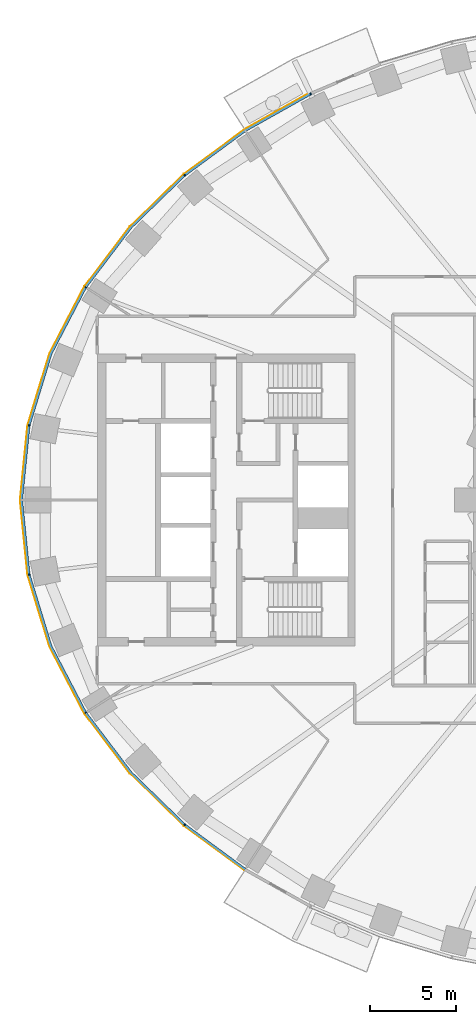
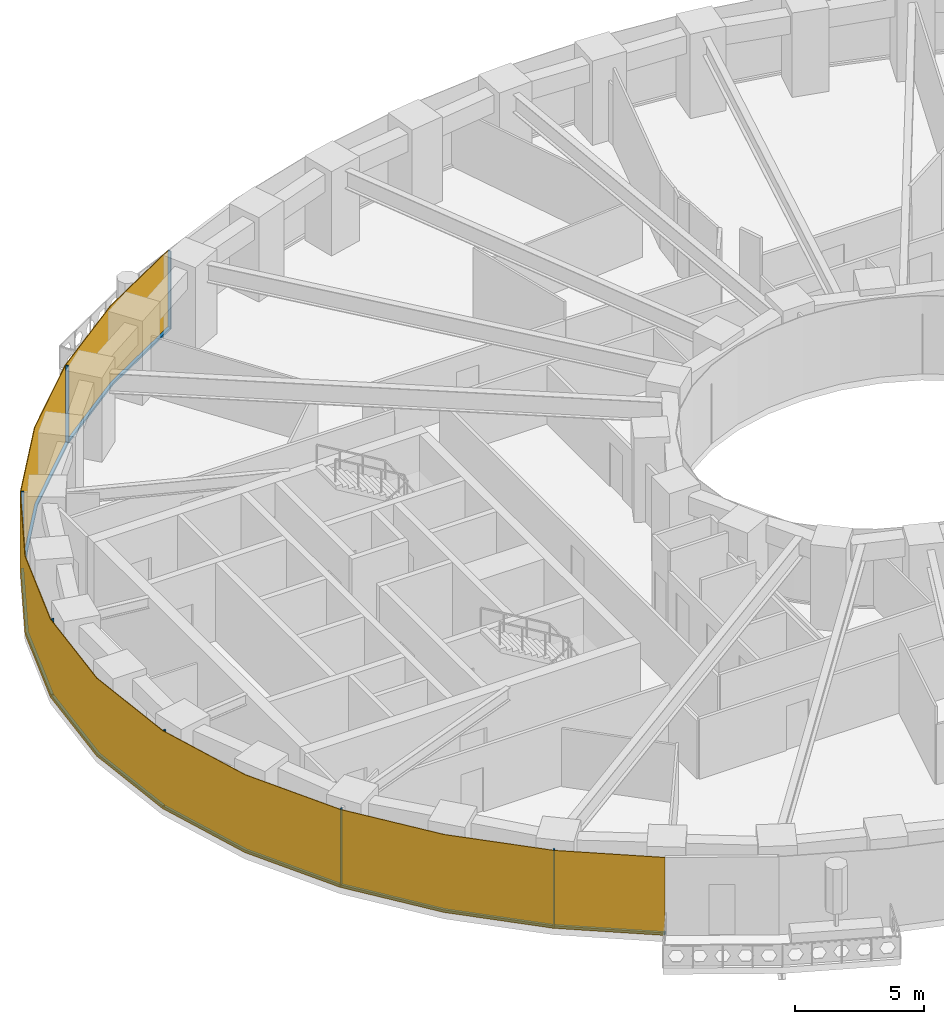
# One storey, part 8 of 15: 14 members, 1 curtain wall.
"""IFC4 building model written with IfcOpenShell, lengths in metres."""

import ifcopenshell
import ifcopenshell.guid

model = None  # the IFC model being written
_history = None  # IfcOwnerHistory: only IFC2X3 demands one
_inside = {}  # id of a spatial element -> (the spatial element, [elements in it])
_under = {}  # id of a project, library or spatial element -> (it, [spatial elements below it])
_declared = {}  # id of a project -> (the project, [libraries it declares])
_typed = {}  # id of a type object -> (the type object, [elements of that type])
_made_of = {}  # id of a material, layer set ... -> (it, [elements and type objects made of it])


def new_model(schema):
    """Start an empty IFC model of exactly this schema.

    Asked for "IFC4X3", IfcOpenShell would pick the latest addendum, in which some entities
    have other attributes; the version numbers below select the first issue.
    IFC2X3 requires an IfcOwnerHistory on every rooted entity: one is made here for all.
    """
    global model, _history
    if schema == "IFC4X3":
        model = ifcopenshell.file(schema_version=(4, 3, 0, 0))
    else:
        model = ifcopenshell.file(schema=schema)
    _inside.clear()
    _under.clear()
    _declared.clear()
    _typed.clear()
    _made_of.clear()
    _history = None
    if model.schema == "IFC2X3":
        org = make("IfcOrganization", Name="unknown")
        user = make(
            "IfcPersonAndOrganization",
            ThePerson=make("IfcPerson", FamilyName="unknown"),
            TheOrganization=org,
        )
        app = make(
            "IfcApplication",
            ApplicationDeveloper=org,
            Version="unknown",
            ApplicationFullName="unknown",
            ApplicationIdentifier="unknown",
        )
        _history = make(
            "IfcOwnerHistory",
            OwningUser=user,
            OwningApplication=app,
            ChangeAction="ADDED",
            CreationDate=0,
        )
    return model


def make(cls, **values):
    """One entity of the class cls with the attributes given. An attribute that is None is left unset."""
    return model.create_entity(
        cls, **{name: value for name, value in values.items() if value is not None}
    )


def rooted(cls, **values):
    """An entity with a GlobalId (a new one), such as an element, a storey or a relation."""
    return make(cls, GlobalId=ifcopenshell.guid.new(), OwnerHistory=_history, **values)


def si_unit(unit_type, name, prefix=None):
    """IfcSIUnit, for example si_unit("LENGTHUNIT", "METRE", prefix="MILLI")."""
    return make("IfcSIUnit", UnitType=unit_type, Prefix=prefix, Name=name)


def assignment(units):
    """IfcUnitAssignment: the units of a project."""
    return None if units is None else make("IfcUnitAssignment", Units=units)


def point(xyz):
    """IfcCartesianPoint."""
    return None if xyz is None else make("IfcCartesianPoint", Coordinates=xyz)


def direction(xyz):
    """IfcDirection."""
    return None if xyz is None else make("IfcDirection", DirectionRatios=xyz)


def frame(location, z_axis=None, x_axis=None):
    """IfcAxis2Placement3D, a coordinate frame: its origin and axes. An axis left out is left unset."""
    return make(
        "IfcAxis2Placement3D",
        Location=point(location),
        Axis=direction(z_axis),
        RefDirection=direction(x_axis),
    )


def frame_2d(location, x_axis=None):
    """IfcAxis2Placement2D, a coordinate frame in the plane: its origin and x axis."""
    return make(
        "IfcAxis2Placement2D", Location=point(location), RefDirection=direction(x_axis)
    )


def origin():
    """The frame at (0, 0, 0) with its axes left unset."""
    return frame((0.0, 0.0, 0.0))


def origin_2d():
    """The frame at (0, 0) in the plane with its x axis left unset."""
    return frame_2d((0.0, 0.0))


def place(relative_to, where):
    """IfcLocalPlacement: puts the frame where relative to a parent placement (None: the world)."""
    return make(
        "IfcLocalPlacement", PlacementRelTo=relative_to, RelativePlacement=where
    )


def context(
    kind, dimensions, precision=None, world=None, true_north=None, identifier=None
):
    """IfcGeometricRepresentationContext, for example the 3D "Model" context."""
    return make(
        "IfcGeometricRepresentationContext",
        ContextIdentifier=identifier,
        ContextType=kind,
        CoordinateSpaceDimension=dimensions,
        Precision=precision,
        WorldCoordinateSystem=world,
        TrueNorth=true_north,
    )


def subcontext(parent, identifier, kind, view, scale=None):
    """IfcGeometricRepresentationSubContext, for example "Body" below "Model"."""
    return make(
        "IfcGeometricRepresentationSubContext",
        ContextIdentifier=identifier,
        ContextType=kind,
        ParentContext=parent,
        TargetScale=scale,
        TargetView=view,
    )


def project(units=None, contexts=None):
    """IfcProject with its units and contexts."""
    return rooted(
        "IfcProject",
        Name="project",
        RepresentationContexts=contexts,
        UnitsInContext=assignment(units),
    )


def spatial(cls, under=None, at=None, **own):
    """A site, building, storey or space (cls), placed at a placement, below another one or the project."""
    s = rooted(cls, ObjectPlacement=at, **own)
    if under is not None:
        _under.setdefault(under.id(), (under, []))[1].append(s)
    return s


def polyline(points):
    """IfcPolyline through the points."""
    return make("IfcPolyline", Points=[point(p) for p in points])


def profile(cls, at=None, kind="AREA", **sizes):
    """A parametric profile (cls). Its sizes go by their IFC names, for example OverallWidth=200.0."""
    return make(cls, ProfileType=kind, Position=at, **sizes)


def rectangle(**sizes):
    """IfcRectangleProfileDef."""
    return profile("IfcRectangleProfileDef", **sizes)


def outline(outer, holes=None, kind="AREA"):
    """IfcArbitraryClosedProfileDef: a profile drawn as a closed curve; with holes, ...WithVoids."""
    if holes is None:
        return make("IfcArbitraryClosedProfileDef", ProfileType=kind, OuterCurve=outer)
    return make(
        "IfcArbitraryProfileDefWithVoids",
        ProfileType=kind,
        OuterCurve=outer,
        InnerCurves=holes,
    )


def extrude(swept, where, along, depth):
    """IfcExtrudedAreaSolid: the profile swept, set in the frame where, extruded along a direction by depth."""
    return make(
        "IfcExtrudedAreaSolid",
        SweptArea=swept,
        Position=where,
        ExtrudedDirection=direction(along),
        Depth=depth,
    )


def shape(context_of_items, identifier, shape_type, items):
    """IfcShapeRepresentation: the items that make up one representation, for example the "Body"."""
    return make(
        "IfcShapeRepresentation",
        ContextOfItems=context_of_items,
        RepresentationIdentifier=identifier,
        RepresentationType=shape_type,
        Items=items,
    )


def material(Name=None, Category=None):
    """IfcMaterial."""
    return make("IfcMaterial", Name=Name, Category=Category)


def layer(
    of_material, thickness, ventilated=None, Name=None, Category=None, Priority=None
):
    """IfcMaterialLayer: one layer of a wall or slab, of a material (None: an air gap)."""
    return make(
        "IfcMaterialLayer",
        Material=of_material,
        LayerThickness=thickness,
        IsVentilated=ventilated,
        Name=Name,
        Category=Category,
        Priority=Priority,
    )


def layer_set(layers, Name=None):
    """IfcMaterialLayerSet."""
    return make("IfcMaterialLayerSet", MaterialLayers=layers, LayerSetName=Name)


def material_profile(
    of_material, cross_section, Name=None, Category=None, Priority=None
):
    """IfcMaterialProfile: a cross section and its material."""
    return make(
        "IfcMaterialProfile",
        Name=Name,
        Material=of_material,
        Profile=cross_section,
        Priority=Priority,
        Category=Category,
    )


def profile_set(profiles, Name=None, composite=None):
    """IfcMaterialProfileSet."""
    return make(
        "IfcMaterialProfileSet",
        Name=Name,
        MaterialProfiles=profiles,
        CompositeProfile=composite,
    )


def made_of(thing, what):
    """Note that an element or type object is made of a material, layer set ...; save() writes the relation."""
    if what is not None:
        _made_of.setdefault(what.id(), (what, []))[1].append(thing)
    return thing


def type_object(cls, material=None, **own):
    """A type object (cls), such as IfcWallType, which elements share."""
    return made_of(rooted(cls, **own), material)


def element(
    cls,
    number,
    at=None,
    inside=None,
    cuts=None,
    type_object=None,
    material=None,
    context=None,
    identifier="Body",
    shape_type=None,
    held_by="IfcProductDefinitionShape",
    body=None,
    shapes=None,
    **own,
):
    """One element of the class cls, such as IfcWall. Its Tag is "e" and its number.

    at: its placement. inside: the storey or other place that contains it. cuts: it is an
    opening in that element (IfcRelVoidsElement). A single representation is given by context,
    identifier, shape_type and body (its items); several are given by shapes. held_by: the class
    of the entity that holds the representations. save() writes the other relations.
    """
    e = rooted(cls, Tag="e%d" % number, ObjectPlacement=at, **own)
    if body is not None:
        shapes = [shape(context, identifier, shape_type, body)]
    if shapes is not None:
        e.Representation = make(held_by, Representations=shapes)
    if inside is not None:
        _inside.setdefault(inside.id(), (inside, []))[1].append(e)
    if cuts is not None:
        rooted(
            "IfcRelVoidsElement", RelatingBuildingElement=cuts, RelatedOpeningElement=e
        )
    if type_object is not None:
        _typed.setdefault(type_object.id(), (type_object, []))[1].append(e)
    return made_of(e, material)


def aggregate(whole, parts):
    """IfcRelAggregates: a whole, such as a stair, and the parts it consists of."""
    return rooted("IfcRelAggregates", RelatingObject=whole, RelatedObjects=parts)


def save(model, path):
    """Write the relations noted so far, then the file.

    IfcRelAggregates (storeys below a building ...), IfcRelContainedInSpatialStructure (elements
    in a storey), IfcRelDefinesByType, IfcRelAssociatesMaterial and IfcRelDeclares: one each for
    every whole, place, type object, material and project.
    """
    for whole, parts in _under.values():
        aggregate(whole, parts)
    for where, things in _inside.values():
        rooted(
            "IfcRelContainedInSpatialStructure",
            RelatedElements=things,
            RelatingStructure=where,
        )
    for kind, things in _typed.values():
        rooted("IfcRelDefinesByType", RelatedObjects=things, RelatingType=kind)
    for what, things in _made_of.values():
        rooted("IfcRelAssociatesMaterial", RelatedObjects=things, RelatingMaterial=what)
    for by, libraries in _declared.values():
        rooted("IfcRelDeclares", RelatingContext=by, RelatedDefinitions=libraries)
    model.write(path)


model = new_model("IFC4")

# Units and contexts
model_context = context("Model", 3, precision=1e-05, world=origin(), true_north=direction((0.0, 1.0)))
body_context = subcontext(model_context, "Body", "Model", "MODEL_VIEW")
ifc_project = project(units=[si_unit("LENGTHUNIT", "METRE"), si_unit("AREAUNIT", "SQUARE_METRE"), si_unit("VOLUMEUNIT", "CUBIC_METRE"), si_unit("PLANEANGLEUNIT", "RADIAN"), si_unit("MASSUNIT", "GRAM", prefix="KILO")], contexts=[model_context])

# Member
ifc_material_1 = material(Name="Aluminium 6063-T6 black anodised", Category="aluminium")
ifc_material_profile = material_profile(ifc_material_1, rectangle(XDim=0.1201171875, YDim=0.06005859375, at=origin_2d()), Name="120x60")
ifc_profile_set = profile_set([ifc_material_profile], Name="Aluminium 6063-T6 black anodised")
member_type_1 = type_object("IfcMemberType", Name="ENV-MULLION-A-120", PredefinedType="MULLION", material=ifc_profile_set)
site_placement = place(None, origin())
building_placement = place(site_placement, origin())
storey_placement = place(building_placement, frame((0.0, 0.0, 50.5)))
member_1_placement = place(storey_placement, frame((-19.06787109375, 23.6474609375, 0.0), z_axis=(0.0, 0.0, 1.0), x_axis=(0.439237769837, -0.898370848563, 0.0)))
member_1 = element("IfcMember", 1, at=member_1_placement, type_object=member_type_1, Name="Mullion A radial 17", PredefinedType="MULLION", context=body_context, shape_type="SweptSolid", body=[
    extrude(rectangle(XDim=0.1201171875, YDim=0.06005859375, at=origin_2d()), origin(), (0.0, 0.0, 1.0), 3.699951171875),
])

member_2_placement = place(storey_placement, frame((-26.403564453125, 18.9130859375, 0.0), z_axis=(0.0, 0.0, 1.0), x_axis=(0.646451313783, -0.762955240435, 0.0)))
member_2 = element("IfcMember", 2, at=member_2_placement, type_object=member_type_1, Name="Mullion A radial 19", PredefinedType="MULLION", context=body_context, shape_type="SweptSolid", body=[
    extrude(rectangle(XDim=0.1201171875, YDim=0.06005859375, at=origin_2d()), origin(), (0.0, 0.0, 1.0), 3.699951171875),
])

member_3_placement = place(storey_placement, frame((-32.177490234375, 12.385498046875, 0.0), z_axis=(0.0, 0.0, 1.0), x_axis=(0.844829880882, -0.53503501976, 0.0)))
member_3 = element("IfcMember", 3, at=member_3_placement, type_object=member_type_1, Name="Mullion A radial 21", PredefinedType="MULLION", context=body_context, shape_type="SweptSolid", body=[
    extrude(rectangle(XDim=0.1201171875, YDim=0.06005859375, at=origin_2d()), origin(), (0.0, 0.0, 1.0), 3.699951171875),
])

member_4_placement = place(storey_placement, frame((-35.470947265625, 4.340576171875, 0.0), z_axis=(0.0, 0.0, 1.0), x_axis=(0.980379083141, -0.19712141776, 0.0)))
member_4 = element("IfcMember", 4, at=member_4_placement, type_object=member_type_1, Name="Mullion A radial 23", PredefinedType="MULLION", context=body_context, shape_type="SweptSolid", body=[
    extrude(rectangle(XDim=0.1201171875, YDim=0.06005859375, at=origin_2d()), origin(), (0.0, 0.0, 1.0), 3.699951171875),
])

member_5_placement = place(storey_placement, frame((-35.470947265625, -4.340576171875, 0.0), z_axis=(0.0, 0.0, 1.0), x_axis=(0.980379083141, 0.19712141776, 0.0)))
member_5 = element("IfcMember", 5, at=member_5_placement, type_object=member_type_1, Name="Mullion A radial 25", PredefinedType="MULLION", context=body_context, shape_type="SweptSolid", body=[
    extrude(rectangle(XDim=0.1201171875, YDim=0.06005859375, at=origin_2d()), origin(), (0.0, 0.0, 1.0), 3.699951171875),
])

member_6_placement = place(storey_placement, frame((-32.177490234375, -12.385498046875, 0.0), z_axis=(0.0, 0.0, 1.0), x_axis=(0.844829880882, 0.53503501976, 0.0)))
member_6 = element("IfcMember", 6, at=member_6_placement, type_object=member_type_1, Name="Mullion A radial 27", PredefinedType="MULLION", context=body_context, shape_type="SweptSolid", body=[
    extrude(rectangle(XDim=0.1201171875, YDim=0.06005859375, at=origin_2d()), origin(), (0.0, 0.0, 1.0), 3.699951171875),
])

member_7_placement = place(storey_placement, frame((-26.403564453125, -18.9130859375, 0.0), z_axis=(0.0, 0.0, 1.0), x_axis=(0.646451313783, 0.762955240435, 0.0)))
member_7 = element("IfcMember", 7, at=member_7_placement, type_object=member_type_1, Name="Mullion A radial 29", PredefinedType="MULLION", context=body_context, shape_type="SweptSolid", body=[
    extrude(rectangle(XDim=0.1201171875, YDim=0.06005859375, at=origin_2d()), origin(), (0.0, 0.0, 1.0), 3.699951171875),
])

ifc_material_2 = material(Name="Aluminium 6063-T6 black anodised", Category="aluminium")
member_type_2 = type_object("IfcMemberType", Name="ENV-TRANSOM-A", PredefinedType="USERDEFINED", material=ifc_material_2)
member_8_placement = place(storey_placement, origin())
member_8 = element("IfcMember", 8, at=member_8_placement, type_object=member_type_2, Name="Transom A radial 17-19", ObjectType="TRANSOM", PredefinedType="USERDEFINED", context=body_context, shape_type="SweptSolid", body=[
    extrude(outline(polyline([(-19.11865234375, 23.687744140625), (-22.9150390625, 21.556884765625), (-26.419921875, 18.975341796875), (-26.342041015625, 18.883544921875), (-22.85009765625, 21.455810546875), (-19.06591796875, 23.57958984375), (-19.11865234375, 23.687744140625)])), origin(), (0.0, 0.0, 1.0), 0.10009765625),
])

member_9_placement = place(storey_placement, origin())
member_9 = element("IfcMember", 9, at=member_9_placement, type_object=member_type_2, Name="Transom A radial 19-21", ObjectType="TRANSOM", PredefinedType="USERDEFINED", context=body_context, shape_type="SweptSolid", body=[
    extrude(outline(polyline([(-26.46240234375, 18.939208984375), (-29.58349609375, 15.906982421875), (-32.211181640625, 12.43994140625), (-32.109375, 12.37548828125), (-29.493408203125, 15.8271484375), (-26.384765625, 18.847412109375), (-26.46240234375, 18.939208984375)])), origin(), (0.0, 0.0, 1.0), 0.10009765625),
])

member_10_placement = place(storey_placement, origin())
member_10 = element("IfcMember", 10, at=member_10_placement, type_object=member_type_2, Name="Transom A radial 21-23", ObjectType="TRANSOM", PredefinedType="USERDEFINED", context=body_context, shape_type="SweptSolid", body=[
    extrude(outline(polyline([(-32.240966796875, 12.392578125), (-34.251220703125, 8.53662109375), (-35.521484375, 4.379150390625), (-35.4033203125, 4.355224609375), (-34.139892578125, 8.490966796875), (-32.139404296875, 12.328369140625), (-32.240966796875, 12.392578125)])), origin(), (0.0, 0.0, 1.0), 0.10009765625),
])

member_11_placement = place(storey_placement, origin())
member_11 = element("IfcMember", 11, at=member_11_placement, type_object=member_type_2, Name="Transom A radial 23-25", ObjectType="TRANSOM", PredefinedType="USERDEFINED", context=body_context, shape_type="SweptSolid", body=[
    extrude(outline(polyline([(-35.532470703125, 4.324462890625), (-35.9677734375, 0.0), (-35.532470703125, -4.324462890625), (-35.414306640625, -4.30078125), (-35.84716796875, 0.0), (-35.414306640625, 4.30078125), (-35.532470703125, 4.324462890625)])), origin(), (0.0, 0.0, 1.0), 0.10009765625),
])

member_12_placement = place(storey_placement, origin())
member_12 = element("IfcMember", 12, at=member_12_placement, type_object=member_type_2, Name="Transom A radial 25-27", ObjectType="TRANSOM", PredefinedType="USERDEFINED", context=body_context, shape_type="SweptSolid", body=[
    extrude(outline(polyline([(-35.521484375, -4.379150390625), (-34.251220703125, -8.53662109375), (-32.240966796875, -12.392578125), (-32.139404296875, -12.328369140625), (-34.139892578125, -8.490966796875), (-35.4033203125, -4.355224609375), (-35.521484375, -4.379150390625)])), origin(), (0.0, 0.0, 1.0), 0.10009765625),
])

member_13_placement = place(storey_placement, origin())
member_13 = element("IfcMember", 13, at=member_13_placement, type_object=member_type_2, Name="Transom A radial 27-29", ObjectType="TRANSOM", PredefinedType="USERDEFINED", context=body_context, shape_type="SweptSolid", body=[
    extrude(outline(polyline([(-32.211181640625, -12.43994140625), (-29.58349609375, -15.906982421875), (-26.46240234375, -18.939208984375), (-26.384765625, -18.847412109375), (-29.493408203125, -15.8271484375), (-32.109375, -12.37548828125), (-32.211181640625, -12.43994140625)])), origin(), (0.0, 0.0, 1.0), 0.10009765625),
])

member_14_placement = place(storey_placement, origin())
member_14 = element("IfcMember", 14, at=member_14_placement, type_object=member_type_2, Name="Transom A radial 29-30", ObjectType="TRANSOM", PredefinedType="USERDEFINED", context=body_context, shape_type="SweptSolid", body=[
    extrude(outline(polyline([(-26.419921875, -18.975341796875), (-22.931396484375, -21.544921875), (-22.8662109375, -21.444091796875), (-26.342041015625, -18.883544921875), (-26.419921875, -18.975341796875)])), origin(), (0.0, 0.0, 1.0), 0.10009765625),
])

# Site, building, storey
site = spatial("IfcSite", under=ifc_project, at=site_placement, CompositionType="ELEMENT")
building = spatial("IfcBuilding", under=site, at=building_placement, Name="Noorbagh Ring Tower", CompositionType="ELEMENT")
storey = spatial("IfcBuildingStorey", under=building, at=storey_placement, Name="L10", CompositionType="ELEMENT", Elevation=50.5)

# Curtain wall
ifc_material_3 = material(Name="Glass dark tinted laminated", Category="glass")
ifc_layer = layer(ifc_material_3, 0.031982421875)
ifc_layer_set = layer_set([ifc_layer], Name="Glass dark tinted laminated")
curtain_wall_type = type_object("IfcCurtainWallType", Name="ENV-CW-A", PredefinedType="NOTDEFINED", material=ifc_layer_set)
curtain_wall_placement = place(storey_placement, origin())
curtain_wall = element("IfcCurtainWall", 15, at=curtain_wall_placement, inside=storey, type_object=curtain_wall_type, Name="Curtain wall A R17", PredefinedType="NOTDEFINED", context=body_context, shape_type="SweptSolid", body=[
    extrude(outline(polyline([(-19.125732421875, 23.720458984375), (-22.9326171875, 21.583740234375), (-26.463134765625, 18.9833984375), (-29.607666015625, 15.927978515625), (-32.255126953125, 12.434814453125), (-34.281005859375, 8.548828125), (-35.561279296875, 4.358642578125), (-36.0, 0.0), (-35.561279296875, -4.358642578125), (-34.281005859375, -8.548828125), (-32.255126953125, -12.434814453125), (-29.607666015625, -15.927978515625), (-26.463134765625, -18.9833984375), (-22.948486328125, -21.572021484375), (-22.931396484375, -21.544921875), (-26.4423828125, -18.958740234375), (-29.58349609375, -15.906982421875), (-32.22802734375, -12.41748046875), (-34.251220703125, -8.53662109375), (-35.529541015625, -4.352294921875), (-35.9677734375, 0.0), (-35.529541015625, 4.352294921875), (-34.251220703125, 8.53662109375), (-32.22802734375, 12.41748046875), (-29.58349609375, 15.906982421875), (-26.4423828125, 18.958740234375), (-22.9150390625, 21.556884765625), (-19.111572265625, 23.691650390625), (-19.125732421875, 23.720458984375)])), origin(), (0.0, 0.0, 1.0), 3.699951171875),
])

aggregate(curtain_wall, [member_1, member_2, member_3, member_4, member_5, member_6, member_7, member_8, member_9, member_10, member_11, member_12, member_13, member_14])

save(model, "model.ifc")
